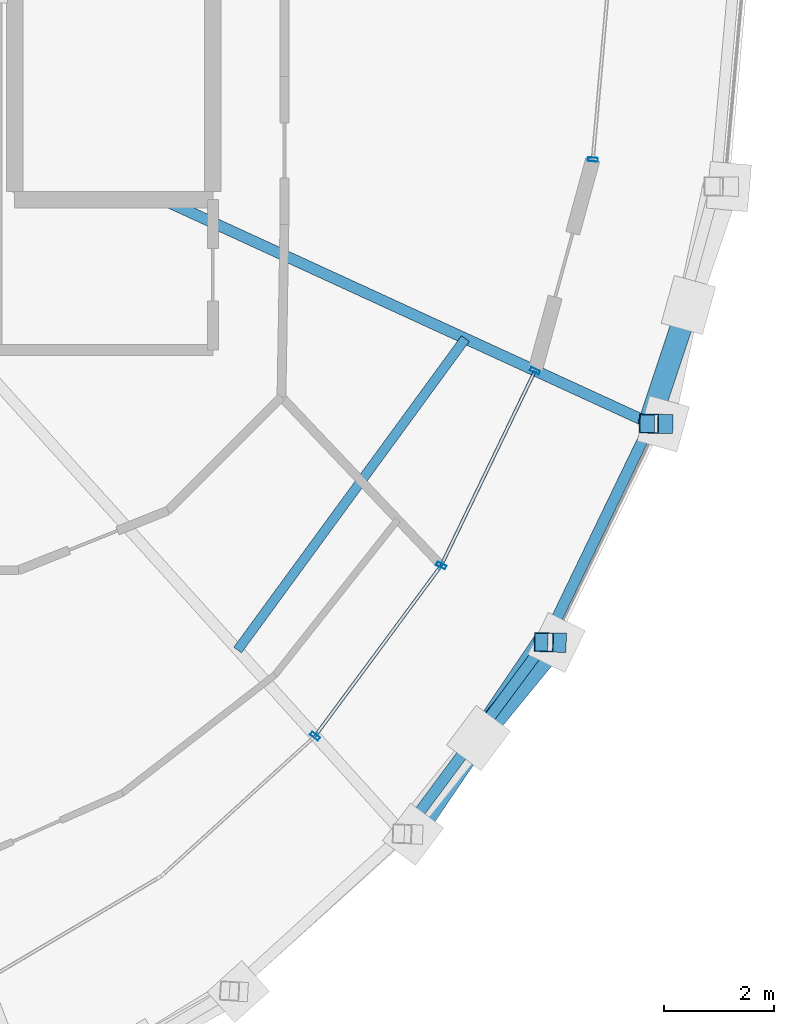
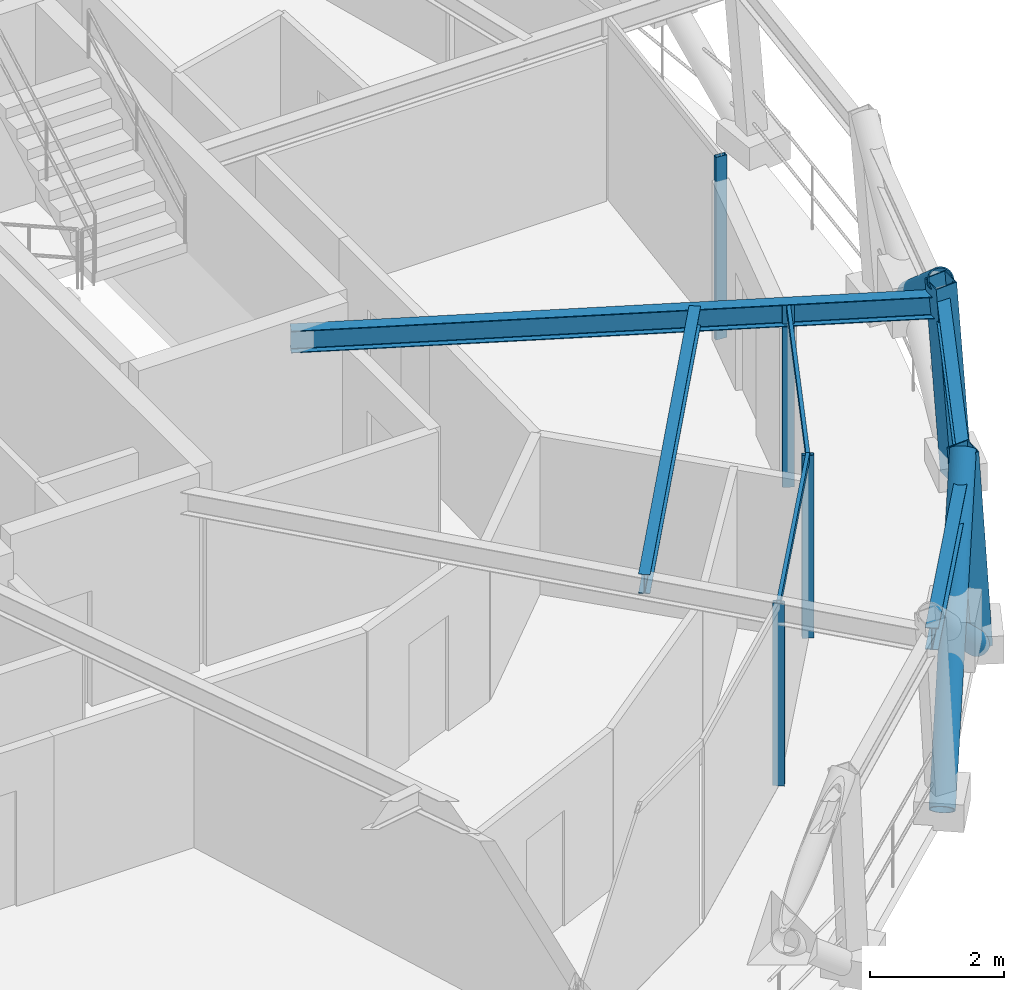
# One storey, part 4 of 15: 11 members, 4 beams, 2 elements without a shape of their own.
"""IFC4 building model written with IfcOpenShell, lengths in metres."""

import ifcopenshell
import ifcopenshell.guid

model = None  # the IFC model being written
_history = None  # IfcOwnerHistory: only IFC2X3 demands one
_inside = {}  # id of a spatial element -> (the spatial element, [elements in it])
_under = {}  # id of a project, library or spatial element -> (it, [spatial elements below it])
_declared = {}  # id of a project -> (the project, [libraries it declares])
_typed = {}  # id of a type object -> (the type object, [elements of that type])
_made_of = {}  # id of a material, layer set ... -> (it, [elements and type objects made of it])


def new_model(schema):
    """Start an empty IFC model of exactly this schema.

    Asked for "IFC4X3", IfcOpenShell would pick the latest addendum, in which some entities
    have other attributes; the version numbers below select the first issue.
    IFC2X3 requires an IfcOwnerHistory on every rooted entity: one is made here for all.
    """
    global model, _history
    if schema == "IFC4X3":
        model = ifcopenshell.file(schema_version=(4, 3, 0, 0))
    else:
        model = ifcopenshell.file(schema=schema)
    _inside.clear()
    _under.clear()
    _declared.clear()
    _typed.clear()
    _made_of.clear()
    _history = None
    if model.schema == "IFC2X3":
        org = make("IfcOrganization", Name="unknown")
        user = make(
            "IfcPersonAndOrganization",
            ThePerson=make("IfcPerson", FamilyName="unknown"),
            TheOrganization=org,
        )
        app = make(
            "IfcApplication",
            ApplicationDeveloper=org,
            Version="unknown",
            ApplicationFullName="unknown",
            ApplicationIdentifier="unknown",
        )
        _history = make(
            "IfcOwnerHistory",
            OwningUser=user,
            OwningApplication=app,
            ChangeAction="ADDED",
            CreationDate=0,
        )
    return model


def make(cls, **values):
    """One entity of the class cls with the attributes given. An attribute that is None is left unset."""
    return model.create_entity(
        cls, **{name: value for name, value in values.items() if value is not None}
    )


def rooted(cls, **values):
    """An entity with a GlobalId (a new one), such as an element, a storey or a relation."""
    return make(cls, GlobalId=ifcopenshell.guid.new(), OwnerHistory=_history, **values)


def si_unit(unit_type, name, prefix=None):
    """IfcSIUnit, for example si_unit("LENGTHUNIT", "METRE", prefix="MILLI")."""
    return make("IfcSIUnit", UnitType=unit_type, Prefix=prefix, Name=name)


def assignment(units):
    """IfcUnitAssignment: the units of a project."""
    return None if units is None else make("IfcUnitAssignment", Units=units)


def point(xyz):
    """IfcCartesianPoint."""
    return None if xyz is None else make("IfcCartesianPoint", Coordinates=xyz)


def direction(xyz):
    """IfcDirection."""
    return None if xyz is None else make("IfcDirection", DirectionRatios=xyz)


def frame(location, z_axis=None, x_axis=None):
    """IfcAxis2Placement3D, a coordinate frame: its origin and axes. An axis left out is left unset."""
    return make(
        "IfcAxis2Placement3D",
        Location=point(location),
        Axis=direction(z_axis),
        RefDirection=direction(x_axis),
    )


def frame_2d(location, x_axis=None):
    """IfcAxis2Placement2D, a coordinate frame in the plane: its origin and x axis."""
    return make(
        "IfcAxis2Placement2D", Location=point(location), RefDirection=direction(x_axis)
    )


def origin():
    """The frame at (0, 0, 0) with its axes left unset."""
    return frame((0.0, 0.0, 0.0))


def origin_2d():
    """The frame at (0, 0) in the plane with its x axis left unset."""
    return frame_2d((0.0, 0.0))


def place(relative_to, where):
    """IfcLocalPlacement: puts the frame where relative to a parent placement (None: the world)."""
    return make(
        "IfcLocalPlacement", PlacementRelTo=relative_to, RelativePlacement=where
    )


def context(
    kind, dimensions, precision=None, world=None, true_north=None, identifier=None
):
    """IfcGeometricRepresentationContext, for example the 3D "Model" context."""
    return make(
        "IfcGeometricRepresentationContext",
        ContextIdentifier=identifier,
        ContextType=kind,
        CoordinateSpaceDimension=dimensions,
        Precision=precision,
        WorldCoordinateSystem=world,
        TrueNorth=true_north,
    )


def subcontext(parent, identifier, kind, view, scale=None):
    """IfcGeometricRepresentationSubContext, for example "Body" below "Model"."""
    return make(
        "IfcGeometricRepresentationSubContext",
        ContextIdentifier=identifier,
        ContextType=kind,
        ParentContext=parent,
        TargetScale=scale,
        TargetView=view,
    )


def project(units=None, contexts=None):
    """IfcProject with its units and contexts."""
    return rooted(
        "IfcProject",
        Name="project",
        RepresentationContexts=contexts,
        UnitsInContext=assignment(units),
    )


def spatial(cls, under=None, at=None, **own):
    """A site, building, storey or space (cls), placed at a placement, below another one or the project."""
    s = rooted(cls, ObjectPlacement=at, **own)
    if under is not None:
        _under.setdefault(under.id(), (under, []))[1].append(s)
    return s


def profile(cls, at=None, kind="AREA", **sizes):
    """A parametric profile (cls). Its sizes go by their IFC names, for example OverallWidth=200.0."""
    return make(cls, ProfileType=kind, Position=at, **sizes)


def hollow_rectangle(**sizes):
    """IfcRectangleHollowProfileDef."""
    return profile("IfcRectangleHollowProfileDef", **sizes)


def hollow_circle(**sizes):
    """IfcCircleHollowProfileDef."""
    return profile("IfcCircleHollowProfileDef", **sizes)


def i_section(**sizes):
    """IfcIShapeProfileDef."""
    return profile("IfcIShapeProfileDef", **sizes)


def extrude(swept, where, along, depth):
    """IfcExtrudedAreaSolid: the profile swept, set in the frame where, extruded along a direction by depth."""
    return make(
        "IfcExtrudedAreaSolid",
        SweptArea=swept,
        Position=where,
        ExtrudedDirection=direction(along),
        Depth=depth,
    )


def shape(context_of_items, identifier, shape_type, items):
    """IfcShapeRepresentation: the items that make up one representation, for example the "Body"."""
    return make(
        "IfcShapeRepresentation",
        ContextOfItems=context_of_items,
        RepresentationIdentifier=identifier,
        RepresentationType=shape_type,
        Items=items,
    )


def material(Name=None, Category=None):
    """IfcMaterial."""
    return make("IfcMaterial", Name=Name, Category=Category)


def layer(
    of_material, thickness, ventilated=None, Name=None, Category=None, Priority=None
):
    """IfcMaterialLayer: one layer of a wall or slab, of a material (None: an air gap)."""
    return make(
        "IfcMaterialLayer",
        Material=of_material,
        LayerThickness=thickness,
        IsVentilated=ventilated,
        Name=Name,
        Category=Category,
        Priority=Priority,
    )


def layer_set(layers, Name=None):
    """IfcMaterialLayerSet."""
    return make("IfcMaterialLayerSet", MaterialLayers=layers, LayerSetName=Name)


def material_profile(
    of_material, cross_section, Name=None, Category=None, Priority=None
):
    """IfcMaterialProfile: a cross section and its material."""
    return make(
        "IfcMaterialProfile",
        Name=Name,
        Material=of_material,
        Profile=cross_section,
        Priority=Priority,
        Category=Category,
    )


def profile_set(profiles, Name=None, composite=None):
    """IfcMaterialProfileSet."""
    return make(
        "IfcMaterialProfileSet",
        Name=Name,
        MaterialProfiles=profiles,
        CompositeProfile=composite,
    )


def made_of(thing, what):
    """Note that an element or type object is made of a material, layer set ...; save() writes the relation."""
    if what is not None:
        _made_of.setdefault(what.id(), (what, []))[1].append(thing)
    return thing


def type_object(cls, material=None, **own):
    """A type object (cls), such as IfcWallType, which elements share."""
    return made_of(rooted(cls, **own), material)


def element(
    cls,
    number,
    at=None,
    inside=None,
    cuts=None,
    type_object=None,
    material=None,
    context=None,
    identifier="Body",
    shape_type=None,
    held_by="IfcProductDefinitionShape",
    body=None,
    shapes=None,
    **own,
):
    """One element of the class cls, such as IfcWall. Its Tag is "e" and its number.

    at: its placement. inside: the storey or other place that contains it. cuts: it is an
    opening in that element (IfcRelVoidsElement). A single representation is given by context,
    identifier, shape_type and body (its items); several are given by shapes. held_by: the class
    of the entity that holds the representations. save() writes the other relations.
    """
    e = rooted(cls, Tag="e%d" % number, ObjectPlacement=at, **own)
    if body is not None:
        shapes = [shape(context, identifier, shape_type, body)]
    if shapes is not None:
        e.Representation = make(held_by, Representations=shapes)
    if inside is not None:
        _inside.setdefault(inside.id(), (inside, []))[1].append(e)
    if cuts is not None:
        rooted(
            "IfcRelVoidsElement", RelatingBuildingElement=cuts, RelatedOpeningElement=e
        )
    if type_object is not None:
        _typed.setdefault(type_object.id(), (type_object, []))[1].append(e)
    return made_of(e, material)


def aggregate(whole, parts):
    """IfcRelAggregates: a whole, such as a stair, and the parts it consists of."""
    return rooted("IfcRelAggregates", RelatingObject=whole, RelatedObjects=parts)


def save(model, path):
    """Write the relations noted so far, then the file.

    IfcRelAggregates (storeys below a building ...), IfcRelContainedInSpatialStructure (elements
    in a storey), IfcRelDefinesByType, IfcRelAssociatesMaterial and IfcRelDeclares: one each for
    every whole, place, type object, material and project.
    """
    for whole, parts in _under.values():
        aggregate(whole, parts)
    for where, things in _inside.values():
        rooted(
            "IfcRelContainedInSpatialStructure",
            RelatedElements=things,
            RelatingStructure=where,
        )
    for kind, things in _typed.values():
        rooted("IfcRelDefinesByType", RelatedObjects=things, RelatingType=kind)
    for what, things in _made_of.values():
        rooted("IfcRelAssociatesMaterial", RelatedObjects=things, RelatingMaterial=what)
    for by, libraries in _declared.values():
        rooted("IfcRelDeclares", RelatingContext=by, RelatedDefinitions=libraries)
    model.write(path)


model = new_model("IFC4")

# Units and contexts
model_context = context("Model", 3, precision=1e-05, world=origin(), true_north=direction((0.0, 1.0)))
body_context = subcontext(model_context, "Body", "Model", "MODEL_VIEW")
ifc_project = project(units=[si_unit("LENGTHUNIT", "METRE"), si_unit("AREAUNIT", "SQUARE_METRE"), si_unit("VOLUMEUNIT", "CUBIC_METRE"), si_unit("PLANEANGLEUNIT", "RADIAN"), si_unit("MASSUNIT", "GRAM", prefix="KILO")], contexts=[model_context])

# Site, building, storey
site_placement = place(None, origin())
site = spatial("IfcSite", under=ifc_project, at=site_placement, CompositionType="ELEMENT")
building_placement = place(site_placement, origin())
building = spatial("IfcBuilding", under=site, at=building_placement, Name="Veldorina Hangang Commons", CompositionType="ELEMENT")
storey_placement = place(building_placement, frame((0.0, 0.0, 276.0)))
storey = spatial("IfcBuildingStorey", under=building, at=storey_placement, Name="L72", CompositionType="ELEMENT", Elevation=276.0)

# Beams
ifc_material_1 = material(Name="Steel SM355-TMC", Category="steel")
ifc_material_profile_1 = material_profile(ifc_material_1, i_section(OverallWidth=0.199951171875, OverallDepth=0.39990234375, WebThickness=0.008056640625, FlangeThickness=0.012939453125, FilletRadius=0.012939453125, at=origin_2d()), Name="H-400x200x8x13")
ifc_profile_set_1 = profile_set([ifc_material_profile_1], Name="Steel SM355-TMC")
beam_type_1 = type_object("IfcBeamType", Name="BM-FG400", PredefinedType="BEAM", material=ifc_profile_set_1)
beam_1_placement = place(storey_placement, frame((42.276123046875, 19.280029296875, 3.159912109375), z_axis=(0.908730013375, -0.417384430461, 0.0), x_axis=(0.417384430461, 0.908730013375, 0.0)))
element("IfcBeam", 1, at=beam_1_placement, inside=storey, type_object=beam_type_1, Name="L72 radial floor girder 16", PredefinedType="BEAM", context=body_context, shape_type="SweptSolid", body=[
    extrude(i_section(OverallWidth=0.199951171875, OverallDepth=0.39990234375, WebThickness=0.008056640625, FlangeThickness=0.012939453125, FilletRadius=0.012939453125, at=origin_2d()), origin(), (0.0, 0.0, 1.0), 9.744384765625),
])
ifc_material_profile_2 = material_profile(ifc_material_1, i_section(OverallWidth=0.175048828125, OverallDepth=0.35009765625, WebThickness=0.007080078125, FlangeThickness=0.010986328125, FilletRadius=0.012939453125, at=origin_2d()), Name="H-350x175x7x11")
ifc_profile_set_2 = profile_set([ifc_material_profile_2], Name="Steel SM355-TMC")
beam_type_2 = type_object("IfcBeamType", Name="BM-JST350", PredefinedType="JOIST", material=ifc_profile_set_2)
beam_2_placement = place(storey_placement, frame((43.631103515625, 11.102294921875, 3.18505859375), z_axis=(0.590181699272, 0.8072704391, 0.0), x_axis=(-0.8072704391, 0.590181699272, 0.0)))
element("IfcBeam", 2, at=beam_2_placement, inside=storey, type_object=beam_type_2, Name="L72 secondary floor joist 15", PredefinedType="JOIST", context=body_context, shape_type="SweptSolid", body=[
    extrude(i_section(OverallWidth=0.175048828125, OverallDepth=0.35009765625, WebThickness=0.007080078125, FlangeThickness=0.010986328125, FilletRadius=0.012939453125, at=origin_2d()), origin(), (0.0, 0.0, 1.0), 7.00634765625),
])
ifc_material_profile_3 = material_profile(ifc_material_1, i_section(OverallWidth=0.199951171875, OverallDepth=0.39990234375, WebThickness=0.008056640625, FlangeThickness=0.012939453125, FilletRadius=0.012939453125, at=origin_2d()), Name="H-400x200x8x13")
ifc_profile_set_3 = profile_set([ifc_material_profile_3], Name="Steel SM355-TMC")
beam_type_3 = type_object("IfcBeamType", Name="BM-RB400", PredefinedType="BEAM", material=ifc_profile_set_3)
beam_3_placement = place(storey_placement, frame((46.64208984375, 7.76318359375, 3.159912109375), z_axis=(0.594871429279, 0.803820864762, 0.0), x_axis=(-0.803820864762, 0.594871429279, 0.0)))
element("IfcBeam", 3, at=beam_3_placement, inside=storey, type_object=beam_type_3, Name="L72 perimeter hoop ring beam 28", PredefinedType="BEAM", context=body_context, shape_type="SweptSolid", body=[
    extrude(i_section(OverallWidth=0.199951171875, OverallDepth=0.39990234375, WebThickness=0.008056640625, FlangeThickness=0.012939453125, FilletRadius=0.012939453125, at=origin_2d()), origin(), (0.0, 0.0, 1.0), 4.3291015625),
])
beam_4_placement = place(storey_placement, frame((49.21728515625, 11.242919921875, 3.159912109375), z_axis=(0.434248619178, 0.900793059888, 0.0), x_axis=(-0.900793059888, 0.434248619178, 0.0)))
element("IfcBeam", 4, at=beam_4_placement, inside=storey, type_object=beam_type_3, Name="L72 perimeter hoop ring beam 29", PredefinedType="BEAM", context=body_context, shape_type="SweptSolid", body=[
    extrude(i_section(OverallWidth=0.199951171875, OverallDepth=0.39990234375, WebThickness=0.008056640625, FlangeThickness=0.012939453125, FilletRadius=0.012939453125, at=origin_2d()), origin(), (0.0, 0.0, 1.0), 4.4072265625),
])

# Curtain wall, members
ifc_material_2 = material(Name="Glass Low-E Selective", Category="glass")
ifc_layer = layer(ifc_material_2, 0.179931640625)
ifc_layer_set = layer_set([ifc_layer], Name="Glass Low-E Selective")
curtain_wall_type = type_object("IfcCurtainWallType", Name="CW-SYS-Z3", PredefinedType="NOTDEFINED", material=ifc_layer_set)
curtain_wall_1_placement = place(storey_placement, origin())
curtain_wall_1 = element("IfcCurtainWall", 5, at=curtain_wall_1_placement, inside=storey, type_object=curtain_wall_type, Name="L72 unitised curtain wall CW-L72-R1", PredefinedType="NOTDEFINED")
ifc_material_3 = material(Name="Aluminium Anodized AA6063-T6", Category="aluminium")
ifc_material_profile_4 = material_profile(ifc_material_3, hollow_rectangle(XDim=0.070068359375, YDim=0.179931640625, WallThickness=0.00390625, at=origin_2d()), Name="ALU-RHS-180x70x4")
ifc_profile_set_4 = profile_set([ifc_material_profile_4], Name="Aluminium Anodized AA6063-T6")
member_type_1 = type_object("IfcMemberType", Name="CW-MUL-180", PredefinedType="MULLION", material=ifc_profile_set_4)
member_1_placement = place(storey_placement, frame((45.035400390625, 9.537841796875, 0.0), z_axis=(0.0, 0.0, 1.0), x_axis=(0.594710541362, 0.80393990571, 0.0)))
member_1 = element("IfcMember", 6, at=member_1_placement, type_object=member_type_1, Name="CW-L72-R1 vertical mullion 2", PredefinedType="MULLION", context=body_context, shape_type="SweptSolid", body=[
    extrude(hollow_rectangle(XDim=0.070068359375, YDim=0.179931640625, WallThickness=0.00390625, at=origin_2d()), origin(), (0.0, 0.0, 1.0), 3.320068359375),
])
member_2_placement = place(storey_placement, frame((47.328125, 12.63720703125, 0.0), z_axis=(0.0, 0.0, 1.0), x_axis=(0.434020765137, 0.900902866812, 0.0)))
member_2 = element("IfcMember", 7, at=member_2_placement, type_object=member_type_1, Name="CW-L72-R1 vertical mullion 3", PredefinedType="MULLION", context=body_context, shape_type="SweptSolid", body=[
    extrude(hollow_rectangle(XDim=0.070068359375, YDim=0.179931640625, WallThickness=0.00390625, at=origin_2d()), origin(), (0.0, 0.0, 1.0), 3.320068359375),
])
member_3_placement = place(storey_placement, frame((49.031494140625, 16.173095703125, 0.0), z_axis=(0.0, 0.0, 1.0), x_axis=(-0.434020765137, -0.900902866812, 0.0)))
member_3 = element("IfcMember", 8, at=member_3_placement, type_object=member_type_1, Name="CW-L72-R1 vertical mullion 4", PredefinedType="MULLION", context=body_context, shape_type="SweptSolid", body=[
    extrude(hollow_rectangle(XDim=0.070068359375, YDim=0.179931640625, WallThickness=0.00390625, at=origin_2d()), origin(), (0.0, 0.0, 1.0), 3.320068359375),
])

# Curtain wall, member
curtain_wall_2_placement = place(storey_placement, origin())
curtain_wall_2 = element("IfcCurtainWall", 9, at=curtain_wall_2_placement, inside=storey, type_object=curtain_wall_type, Name="L72 unitised curtain wall CW-L72-R2", PredefinedType="NOTDEFINED")
member_4_placement = place(storey_placement, frame((50.080810546875, 20.010009765625, 0.0), z_axis=(0.0, 0.0, 1.0), x_axis=(0.08842491372, 0.996082845266, 0.0)))
member_4 = element("IfcMember", 10, at=member_4_placement, type_object=member_type_1, Name="CW-L72-R2 vertical mullion 1", PredefinedType="MULLION", context=body_context, shape_type="SweptSolid", body=[
    extrude(hollow_rectangle(XDim=0.070068359375, YDim=0.179931640625, WallThickness=0.00390625, at=origin_2d()), origin(), (0.0, 0.0, 1.0), 3.320068359375),
])
aggregate(curtain_wall_2, [member_4])

# Member
ifc_material_profile_5 = material_profile(ifc_material_3, hollow_rectangle(XDim=0.06005859375, YDim=0.139892578125, WallThickness=0.00341796875, at=origin_2d()), Name="ALU-RHS-140x60x3.5")
ifc_profile_set_5 = profile_set([ifc_material_profile_5], Name="Aluminium Anodized AA6063-T6")
member_type_2 = type_object("IfcMemberType", Name="CW-TRN-140", PredefinedType="USERDEFINED", material=ifc_profile_set_5)
member_5_placement = place(storey_placement, frame((45.035400390625, 9.537841796875, 3.280029296875), z_axis=(0.594707961774, 0.803941813941, 0.0), x_axis=(-0.803941813941, 0.594707961774, 0.0)))
member_5 = element("IfcMember", 11, at=member_5_placement, type_object=member_type_2, Name="CW-L72-R1 facet 3 transom 1", ObjectType="TRANSOM", PredefinedType="USERDEFINED", context=body_context, shape_type="SweptSolid", body=[
    extrude(hollow_rectangle(XDim=0.06005859375, YDim=0.139892578125, WallThickness=0.00341796875, at=origin_2d()), origin(), (0.0, 0.0, 1.0), 3.855224609375),
])

member_6_placement = place(storey_placement, frame((47.328125, 12.63720703125, 3.280029296875), z_axis=(0.434002639341, 0.900911598907, 0.0), x_axis=(-0.900911598907, 0.434002639341, 0.0)))
member_6 = element("IfcMember", 12, at=member_6_placement, type_object=member_type_2, Name="CW-L72-R1 facet 4 transom 1", ObjectType="TRANSOM", PredefinedType="USERDEFINED", context=body_context, shape_type="SweptSolid", body=[
    extrude(hollow_rectangle(XDim=0.06005859375, YDim=0.139892578125, WallThickness=0.00341796875, at=origin_2d()), origin(), (0.0, 0.0, 1.0), 3.9248046875),
])

aggregate(curtain_wall_1, [member_1, member_2, member_3, member_5, member_6])

# Members
ifc_material_profile_6 = material_profile(ifc_material_1, hollow_circle(Radius=0.199951171875, WallThickness=0.02001953125, at=origin_2d()), Name="CHS-400x20")
ifc_profile_set_6 = profile_set([ifc_material_profile_6], Name="Steel SM355-TMC")
member_type_3 = type_object("IfcMemberType", Name="DG-CHS400", PredefinedType="BRACE", material=ifc_profile_set_6)
member_7_placement = place(storey_placement, frame((46.8173828125, 7.755859375, 0.0), z_axis=(0.427630244397, 0.629007855626, 0.649216059289), x_axis=(-0.826984634685, 0.562224522762, 0.0)))
element("IfcMember", 13, at=member_7_placement, inside=storey, type_object=member_type_3, Name="L72 continuous perimeter diagrid brace 28", PredefinedType="BRACE", context=body_context, shape_type="SweptSolid", body=[
    extrude(hollow_circle(Radius=0.199951171875, WallThickness=0.02001953125, at=origin_2d()), origin(), (0.0, 0.0, 1.0), 5.54541015625),
])
member_8_placement = place(storey_placement, frame((49.42333984375, 11.237060546875, 0.0), z_axis=(-0.492893262012, -0.602594914815, 0.627642892816), x_axis=(0.774044760972, -0.633130877475, 0.0)))
element("IfcMember", 14, at=member_8_placement, inside=storey, type_object=member_type_3, Name="L72 split perimeter diagrid lower brace 29", PredefinedType="BRACE", context=body_context, shape_type="SweptSolid", body=[
    extrude(hollow_circle(Radius=0.199951171875, WallThickness=0.02001953125, at=origin_2d()), origin(), (0.0, 0.0, 1.0), 2.875244140625),
])
member_9_placement = place(storey_placement, frame((51.818115234375, 17.3662109375, 1.80126953125), z_axis=(-0.248262503805, -0.743354417167, 0.621119907653), x_axis=(0.948500280464, -0.316776290085, 0.0)))
element("IfcMember", 15, at=member_9_placement, inside=storey, type_object=member_type_3, Name="L72 split perimeter diagrid upper brace 31", PredefinedType="BRACE", context=body_context, shape_type="SweptSolid", body=[
    extrude(hollow_circle(Radius=0.199951171875, WallThickness=0.02001953125, at=origin_2d()), origin(), (0.0, 0.0, 1.0), 2.89599609375),
])
ifc_material_profile_7 = material_profile(ifc_material_1, hollow_rectangle(XDim=0.35009765625, YDim=0.35009765625, WallThickness=0.01611328125, at=origin_2d()), Name="SHS-350x350x16")
ifc_profile_set_7 = profile_set([ifc_material_profile_7], Name="Steel SM355-TMC")
member_type_4 = type_object("IfcMemberType", Name="STR-SHS350", PredefinedType="STRUT", material=ifc_profile_set_7)
member_10_placement = place(storey_placement, frame((49.42333984375, 11.237060546875, 0.0), z_axis=(-0.065032144123, 0.001894797123, 0.997881370692), x_axis=(-0.029123956933, -0.999575807597, 0.0)))
element("IfcMember", 16, at=member_10_placement, inside=storey, type_object=member_type_4, Name="L72 perimeter ring node post 29", PredefinedType="STRUT", context=body_context, shape_type="SweptSolid", body=[
    extrude(hollow_rectangle(XDim=0.35009765625, YDim=0.35009765625, WallThickness=0.01611328125, at=origin_2d()), origin(), (0.0, 0.0, 1.0), 3.607666015625),
])
member_11_placement = place(storey_placement, frame((51.35986328125, 15.208740234375, 0.0), z_axis=(-0.072237145634, 0.001285117759, 0.99738665685), x_axis=(-0.01778744759, -0.999841790839, 0.0)))
element("IfcMember", 17, at=member_11_placement, inside=storey, type_object=member_type_4, Name="L72 perimeter ring node post 30", PredefinedType="STRUT", context=body_context, shape_type="SweptSolid", body=[
    extrude(hollow_rectangle(XDim=0.35009765625, YDim=0.35009765625, WallThickness=0.01611328125, at=origin_2d()), origin(), (0.0, 0.0, 1.0), 3.609619140625),
])

save(model, "model.ifc")
